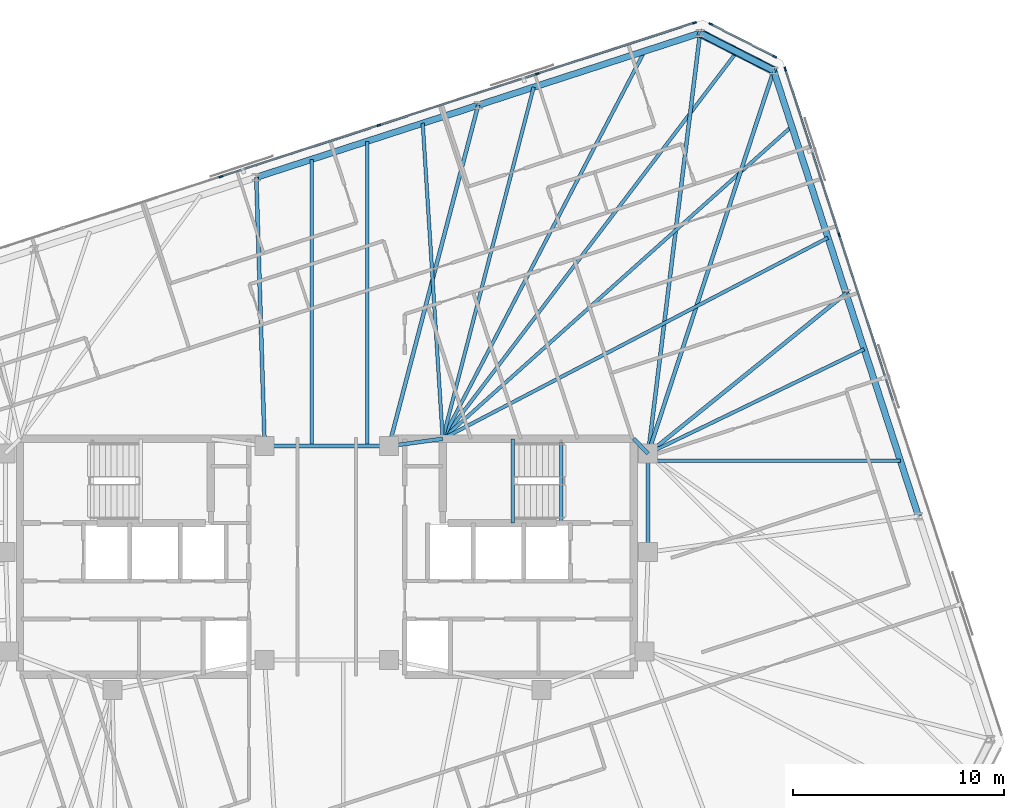
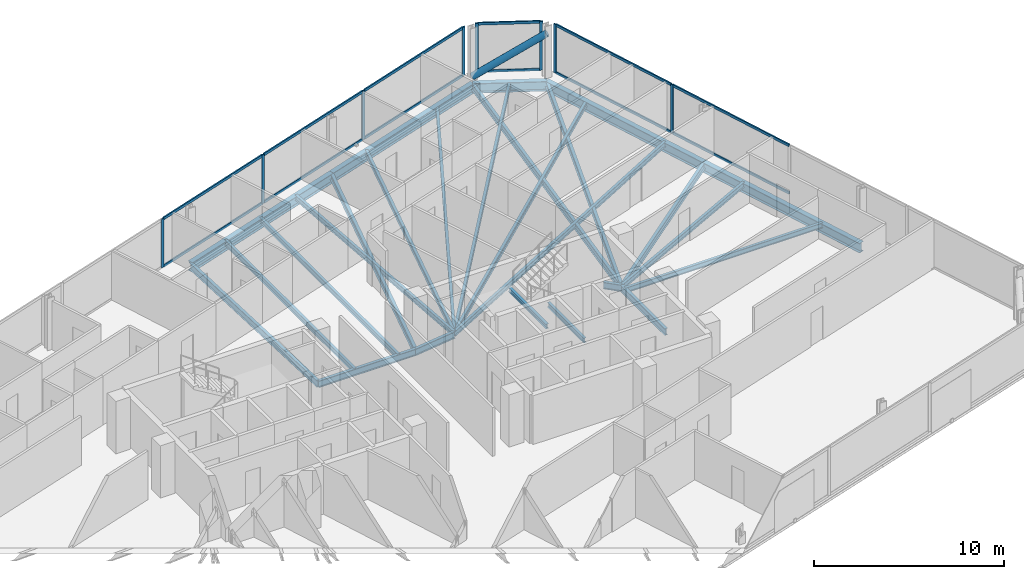
# One storey, part 10 of 20: 26 beams, 21 members, 3 elements without a shape of their own.
"""IFC4 building model written with IfcOpenShell, lengths in metres."""

from ifc_helpers import new_model, si_unit, direction, frame, origin, origin_2d, place, context, subcontext, project, spatial, rectangle, hollow_circle, i_section, extrude, material, material_profile, profile_set, type_object, element, aggregate, save


model = new_model("IFC4")

# Units and contexts
model_context = context("Model", 3, precision=1e-05, world=origin(), true_north=direction((0.0, 1.0)))
body_context = subcontext(model_context, "Body", "Model", "MODEL_VIEW")
ifc_project = project(units=[si_unit("LENGTHUNIT", "METRE"), si_unit("AREAUNIT", "SQUARE_METRE"), si_unit("VOLUMEUNIT", "CUBIC_METRE"), si_unit("PLANEANGLEUNIT", "RADIAN"), si_unit("MASSUNIT", "GRAM", prefix="KILO")], contexts=[model_context])

# Site, building, storey
site_placement = place(None, origin())
site = spatial("IfcSite", under=ifc_project, at=site_placement, CompositionType="ELEMENT")
building_placement = place(site_placement, origin())
building = spatial("IfcBuilding", under=site, at=building_placement, Name="Menara Jurai Vektor", CompositionType="ELEMENT")
storey_placement = place(building_placement, frame((0.0, 0.0, 244.39990234375)))
storey = spatial("IfcBuildingStorey", under=building, at=storey_placement, Name="L65", CompositionType="ELEMENT", Elevation=244.39990234375)

# Curtain wall, members
ifc_material_1 = material(Name="Anodised Pale Aluminium & Low-E Double Glazing", Category="aluminium")
curtain_wall_type = type_object("IfcCurtainWallType", Name="CW-BLK4", PredefinedType="NOTDEFINED", material=ifc_material_1)
curtain_wall_1_placement = place(storey_placement, origin())
curtain_wall_1 = element("IfcCurtainWall", 1, at=curtain_wall_1_placement, inside=storey, type_object=curtain_wall_type, Name="Unitised Curtain Wall L65 F03", PredefinedType="NOTDEFINED")
ifc_material_2 = material(Name="Anodised Pale Aluminium Mullion", Category="aluminium")
ifc_material_profile_1 = material_profile(ifc_material_2, rectangle(XDim=0.080078125, YDim=0.18994140625, at=origin_2d()), Name="ALU MUL 80x190")
ifc_profile_set_1 = profile_set([ifc_material_profile_1], Name="Anodised Pale Aluminium Mullion")
member_type_1 = type_object("IfcMemberType", Name="CW-BLK4-MUL", PredefinedType="MULLION", material=ifc_profile_set_1)
member_1_placement = place(storey_placement, frame((24.31494140625, 15.28271484375, 0.0), z_axis=(0.0, 0.0, 1.0), x_axis=(-0.95105668295, -0.309016481464, 0.0)))
member_1 = element("IfcMember", 2, at=member_1_placement, type_object=member_type_1, Name="CW-04 mullion 4", PredefinedType="MULLION", context=body_context, shape_type="SweptSolid", body=[
    extrude(rectangle(XDim=0.080078125, YDim=0.18994140625, at=origin_2d()), origin(), (0.0, 0.0, 1.0), 3.125),
])
member_2_placement = place(storey_placement, frame((21.75927734375, 23.14794921875, 0.0), z_axis=(0.0, 0.0, 1.0), x_axis=(-0.95105668295, -0.309016481464, 0.0)))
member_2 = element("IfcMember", 3, at=member_2_placement, type_object=member_type_1, Name="CW-04 mullion 5", PredefinedType="MULLION", context=body_context, shape_type="SweptSolid", body=[
    extrude(rectangle(XDim=0.080078125, YDim=0.18994140625, at=origin_2d()), origin(), (0.0, 0.0, 1.0), 3.125),
])

curtain_wall_2_placement = place(storey_placement, origin())
curtain_wall_2 = element("IfcCurtainWall", 4, at=curtain_wall_2_placement, inside=storey, type_object=curtain_wall_type, Name="Unitised Curtain Wall L65 F04", PredefinedType="NOTDEFINED")
member_3_placement = place(storey_placement, frame((21.25537109375, 23.73828125, 0.0), z_axis=(0.0, 0.0, 1.0), x_axis=(-0.453988579828, -0.89100750243, 0.0)))
member_3 = element("IfcMember", 5, at=member_3_placement, type_object=member_type_1, Name="CW-04 mullion 1", PredefinedType="MULLION", context=body_context, shape_type="SweptSolid", body=[
    extrude(rectangle(XDim=0.080078125, YDim=0.18994140625, at=origin_2d()), origin(), (0.0, 0.0, 1.0), 3.125),
])
member_4_placement = place(storey_placement, frame((18.223388671875, 25.282958984375, 0.0), z_axis=(0.0, 0.0, 1.0), x_axis=(-0.453988579828, -0.89100750243, 0.0)))
member_4 = element("IfcMember", 6, at=member_4_placement, type_object=member_type_1, Name="CW-04 mullion 2", PredefinedType="MULLION", context=body_context, shape_type="SweptSolid", body=[
    extrude(rectangle(XDim=0.080078125, YDim=0.18994140625, at=origin_2d()), origin(), (0.0, 0.0, 1.0), 3.125),
])

curtain_wall_3_placement = place(storey_placement, origin())
curtain_wall_3 = element("IfcCurtainWall", 7, at=curtain_wall_3_placement, inside=storey, type_object=curtain_wall_type, Name="Unitised Curtain Wall L65 F05", PredefinedType="NOTDEFINED")
member_5_placement = place(storey_placement, frame((17.44970703125, 25.34375, 0.0), z_axis=(0.0, 0.0, 1.0), x_axis=(0.309017344167, -0.951056402641, 0.0)))
member_5 = element("IfcMember", 8, at=member_5_placement, type_object=member_type_1, Name="CW-04 mullion 1", PredefinedType="MULLION", context=body_context, shape_type="SweptSolid", body=[
    extrude(rectangle(XDim=0.080078125, YDim=0.18994140625, at=origin_2d()), origin(), (0.0, 0.0, 1.0), 3.125),
])
member_6_placement = place(storey_placement, frame((9.982666015625, 22.917724609375, 0.0), z_axis=(0.0, 0.0, 1.0), x_axis=(0.309017344167, -0.951056402641, 0.0)))
member_6 = element("IfcMember", 9, at=member_6_placement, type_object=member_type_1, Name="CW-04 mullion 2", PredefinedType="MULLION", context=body_context, shape_type="SweptSolid", body=[
    extrude(rectangle(XDim=0.080078125, YDim=0.18994140625, at=origin_2d()), origin(), (0.0, 0.0, 1.0), 3.125),
])
member_7_placement = place(storey_placement, frame((2.4775390625, 20.47900390625, 0.0), z_axis=(0.0, 0.0, 1.0), x_axis=(0.309017344167, -0.951056402641, 0.0)))
member_7 = element("IfcMember", 10, at=member_7_placement, type_object=member_type_1, Name="CW-04 mullion 3", PredefinedType="MULLION", context=body_context, shape_type="SweptSolid", body=[
    extrude(rectangle(XDim=0.080078125, YDim=0.18994140625, at=origin_2d()), origin(), (0.0, 0.0, 1.0), 3.125),
])
member_8_placement = place(storey_placement, frame((-5.02783203125, 18.04052734375, 0.0), z_axis=(0.0, 0.0, 1.0), x_axis=(0.309017344167, -0.951056402641, 0.0)))
member_8 = element("IfcMember", 11, at=member_8_placement, type_object=member_type_1, Name="CW-04 mullion 4", PredefinedType="MULLION", context=body_context, shape_type="SweptSolid", body=[
    extrude(rectangle(XDim=0.080078125, YDim=0.18994140625, at=origin_2d()), origin(), (0.0, 0.0, 1.0), 3.125),
])

# Member
ifc_material_3 = material(Name="Anodised Pale Aluminium Transom", Category="aluminium")
ifc_material_profile_2 = material_profile(ifc_material_3, rectangle(XDim=0.080078125, YDim=0.1650390625, at=origin_2d()), Name="ALU TRN 80x165")
ifc_profile_set_2 = profile_set([ifc_material_profile_2], Name="Anodised Pale Aluminium Transom")
member_type_2 = type_object("IfcMemberType", Name="CW-BLK4-TRN", PredefinedType="USERDEFINED", material=ifc_profile_set_2)
member_9_placement = place(storey_placement, frame((26.870361328125, 7.41748046875, 0.0400390625), z_axis=(-0.309010276303, 0.951058699103, 0.0), x_axis=(-0.951058699103, -0.309010276303, 0.0)))
member_9 = element("IfcMember", 12, at=member_9_placement, type_object=member_type_2, Name="CW-04 transom 3.1", ObjectType="TRANSOM", PredefinedType="USERDEFINED", context=body_context, shape_type="SweptSolid", body=[
    extrude(rectangle(XDim=0.080078125, YDim=0.1650390625, at=origin_2d()), origin(), (0.0, 0.0, 1.0), 8.230224609375),
])

member_10_placement = place(storey_placement, frame((26.870361328125, 7.41748046875, 3.085205078125), z_axis=(-0.309010276303, 0.951058699103, 0.0), x_axis=(-0.951058699103, -0.309010276303, 0.0)))
member_10 = element("IfcMember", 13, at=member_10_placement, type_object=member_type_2, Name="CW-04 transom 3.2", ObjectType="TRANSOM", PredefinedType="USERDEFINED", context=body_context, shape_type="SweptSolid", body=[
    extrude(rectangle(XDim=0.080078125, YDim=0.1650390625, at=origin_2d()), origin(), (0.0, 0.0, 1.0), 8.230224609375),
])

member_11_placement = place(storey_placement, frame((24.302490234375, 15.32080078125, 0.0400390625), z_axis=(-0.309001816839, 0.951061447642, 0.0), x_axis=(-0.951061447642, -0.309001816839, 0.0)))
member_11 = element("IfcMember", 14, at=member_11_placement, type_object=member_type_2, Name="CW-04 transom 4.1", ObjectType="TRANSOM", PredefinedType="USERDEFINED", context=body_context, shape_type="SweptSolid", body=[
    extrude(rectangle(XDim=0.080078125, YDim=0.1650390625, at=origin_2d()), origin(), (0.0, 0.0, 1.0), 8.190185546875),
])

member_12_placement = place(storey_placement, frame((24.302490234375, 15.32080078125, 3.085205078125), z_axis=(-0.309001816839, 0.951061447642, 0.0), x_axis=(-0.951061447642, -0.309001816839, 0.0)))
member_12 = element("IfcMember", 15, at=member_12_placement, type_object=member_type_2, Name="CW-04 transom 4.2", ObjectType="TRANSOM", PredefinedType="USERDEFINED", context=body_context, shape_type="SweptSolid", body=[
    extrude(rectangle(XDim=0.080078125, YDim=0.1650390625, at=origin_2d()), origin(), (0.0, 0.0, 1.0), 8.190185546875),
])

aggregate(curtain_wall_1, [member_1, member_2, member_9, member_10, member_11, member_12])

member_13_placement = place(storey_placement, frame((21.2197265625, 23.75634765625, 0.0400390625), z_axis=(-0.89100697374, 0.453989617444, 0.0), x_axis=(-0.453989617444, -0.89100697374, 0.0)))
member_13 = element("IfcMember", 16, at=member_13_placement, type_object=member_type_2, Name="CW-04 transom 1.1", ObjectType="TRANSOM", PredefinedType="USERDEFINED", context=body_context, shape_type="SweptSolid", body=[
    extrude(rectangle(XDim=0.080078125, YDim=0.1650390625, at=origin_2d()), origin(), (0.0, 0.0, 1.0), 3.32275390625),
])

member_14_placement = place(storey_placement, frame((21.2197265625, 23.75634765625, 3.085205078125), z_axis=(-0.89100697374, 0.453989617444, 0.0), x_axis=(-0.453989617444, -0.89100697374, 0.0)))
member_14 = element("IfcMember", 17, at=member_14_placement, type_object=member_type_2, Name="CW-04 transom 1.2", ObjectType="TRANSOM", PredefinedType="USERDEFINED", context=body_context, shape_type="SweptSolid", body=[
    extrude(rectangle(XDim=0.080078125, YDim=0.1650390625, at=origin_2d()), origin(), (0.0, 0.0, 1.0), 3.32275390625),
])

aggregate(curtain_wall_2, [member_3, member_4, member_13, member_14])

member_15_placement = place(storey_placement, frame((17.41162109375, 25.33154296875, 0.0400390625), z_axis=(-0.951049997348, -0.309037056912, 0.0), x_axis=(0.309037056912, -0.951049997348, 0.0)))
member_15 = element("IfcMember", 18, at=member_15_placement, type_object=member_type_2, Name="CW-04 transom 1.1", ObjectType="TRANSOM", PredefinedType="USERDEFINED", context=body_context, shape_type="SweptSolid", body=[
    extrude(rectangle(XDim=0.080078125, YDim=0.1650390625, at=origin_2d()), origin(), (0.0, 0.0, 1.0), 7.771240234375),
])

member_16_placement = place(storey_placement, frame((17.41162109375, 25.33154296875, 3.085205078125), z_axis=(-0.951049997348, -0.309037056912, 0.0), x_axis=(0.309037056912, -0.951049997348, 0.0)))
member_16 = element("IfcMember", 19, at=member_16_placement, type_object=member_type_2, Name="CW-04 transom 1.2", ObjectType="TRANSOM", PredefinedType="USERDEFINED", context=body_context, shape_type="SweptSolid", body=[
    extrude(rectangle(XDim=0.080078125, YDim=0.1650390625, at=origin_2d()), origin(), (0.0, 0.0, 1.0), 7.771240234375),
])

member_17_placement = place(storey_placement, frame((9.944580078125, 22.9052734375, 0.0400390625), z_axis=(-0.951059330237, -0.309008333817, 0.0), x_axis=(0.309008333817, -0.951059330237, 0.0)))
member_17 = element("IfcMember", 20, at=member_17_placement, type_object=member_type_2, Name="CW-04 transom 2.1", ObjectType="TRANSOM", PredefinedType="USERDEFINED", context=body_context, shape_type="SweptSolid", body=[
    extrude(rectangle(XDim=0.080078125, YDim=0.1650390625, at=origin_2d()), origin(), (0.0, 0.0, 1.0), 7.8115234375),
])

member_18_placement = place(storey_placement, frame((9.944580078125, 22.9052734375, 3.085205078125), z_axis=(-0.951059330237, -0.309008333817, 0.0), x_axis=(0.309008333817, -0.951059330237, 0.0)))
member_18 = element("IfcMember", 21, at=member_18_placement, type_object=member_type_2, Name="CW-04 transom 2.2", ObjectType="TRANSOM", PredefinedType="USERDEFINED", context=body_context, shape_type="SweptSolid", body=[
    extrude(rectangle(XDim=0.080078125, YDim=0.1650390625, at=origin_2d()), origin(), (0.0, 0.0, 1.0), 7.8115234375),
])

member_19_placement = place(storey_placement, frame((2.439453125, 20.466552734375, 0.0400390625), z_axis=(-0.951059330237, -0.309008333817, 0.0), x_axis=(0.309008333817, -0.951059330237, 0.0)))
member_19 = element("IfcMember", 22, at=member_19_placement, type_object=member_type_2, Name="CW-04 transom 3.1", ObjectType="TRANSOM", PredefinedType="USERDEFINED", context=body_context, shape_type="SweptSolid", body=[
    extrude(rectangle(XDim=0.080078125, YDim=0.1650390625, at=origin_2d()), origin(), (0.0, 0.0, 1.0), 7.8115234375),
])

member_20_placement = place(storey_placement, frame((2.439453125, 20.466552734375, 3.085205078125), z_axis=(-0.951059330237, -0.309008333817, 0.0), x_axis=(0.309008333817, -0.951059330237, 0.0)))
member_20 = element("IfcMember", 23, at=member_20_placement, type_object=member_type_2, Name="CW-04 transom 3.2", ObjectType="TRANSOM", PredefinedType="USERDEFINED", context=body_context, shape_type="SweptSolid", body=[
    extrude(rectangle(XDim=0.080078125, YDim=0.1650390625, at=origin_2d()), origin(), (0.0, 0.0, 1.0), 7.8115234375),
])

aggregate(curtain_wall_3, [member_5, member_6, member_7, member_8, member_15, member_16, member_17, member_18, member_19, member_20])

# Beams
ifc_material_4 = material(Name="Steel S355", Category="steel")
ifc_material_profile_3 = material_profile(ifc_material_4, i_section(OverallWidth=0.18505859375, OverallDepth=0.429931640625, WebThickness=0.010986328125, FlangeThickness=0.01806640625, at=origin_2d()), Name="PG 430x185x76")
ifc_profile_set_3 = profile_set([ifc_material_profile_3], Name="Steel S355")
beam_type_1 = type_object("IfcBeamType", Name="STR-BM-430", PredefinedType="BEAM", material=ifc_profile_set_3)
beam_1_placement = place(storey_placement, frame((2.949951171875, 5.25, -0.43994140625), z_axis=(0.990706818608, 0.136014703483, 0.0), x_axis=(-0.136014703483, 0.990706818608, 0.0)))
element("IfcBeam", 24, at=beam_1_placement, inside=storey, type_object=beam_type_1, Name="Core Ring Header Girder L65-CHE-N1", PredefinedType="BEAM", context=body_context, shape_type="SweptSolid", body=[
    extrude(i_section(OverallWidth=0.18505859375, OverallDepth=0.429931640625, WebThickness=0.010986328125, FlangeThickness=0.01806640625, at=origin_2d()), origin(), (0.0, 0.0, 1.0), 2.573974609375),
])
beam_2_placement = place(storey_placement, frame((14.56005859375, 5.60009765625, -0.43994140625), z_axis=(0.701871936926, -0.712303154672, 0.0), x_axis=(0.712303154672, 0.701871936926, 0.0)))
element("IfcBeam", 25, at=beam_2_placement, inside=storey, type_object=beam_type_1, Name="Core Ring Header Girder L65-CHE-N2", PredefinedType="BEAM", context=body_context, shape_type="SweptSolid", body=[
    extrude(i_section(OverallWidth=0.18505859375, OverallDepth=0.429931640625, WebThickness=0.010986328125, FlangeThickness=0.01806640625, at=origin_2d()), origin(), (0.0, 0.0, 1.0), 0.98291015625),
])
beam_3_placement = place(storey_placement, frame((15.25, 0.219970703125, -0.43994140625), z_axis=(0.0, 1.0, 0.0), x_axis=(-1.0, 0.0, 0.0)))
element("IfcBeam", 26, at=beam_3_placement, inside=storey, type_object=beam_type_1, Name="Core Ring Header Girder L65-CHE-E1", PredefinedType="BEAM", context=body_context, shape_type="SweptSolid", body=[
    extrude(i_section(OverallWidth=0.18505859375, OverallDepth=0.429931640625, WebThickness=0.010986328125, FlangeThickness=0.01806640625, at=origin_2d()), origin(), (0.0, 0.0, 1.0), 4.679931640625),
])
beam_4_placement = place(storey_placement, frame((-2.949951171875, 5.25, -0.43994140625), z_axis=(1.0, 0.0, 0.0), x_axis=(0.0, 1.0, 0.0)))
element("IfcBeam", 27, at=beam_4_placement, inside=storey, type_object=beam_type_1, Name="Core Ring Header Girder L65-CC-2", PredefinedType="BEAM", context=body_context, shape_type="SweptSolid", body=[
    extrude(i_section(OverallWidth=0.18505859375, OverallDepth=0.429931640625, WebThickness=0.010986328125, FlangeThickness=0.01806640625, at=origin_2d()), origin(), (0.0, 0.0, 1.0), 5.89990234375),
])
beam_5_placement = place(storey_placement, frame((24.641845703125, 12.496826171875, -0.43994140625), z_axis=(-0.777487674144, -0.628898176619, 0.0), x_axis=(0.628898176619, -0.777487674144, 0.0)))
element("IfcBeam", 28, at=beam_5_placement, inside=storey, type_object=beam_type_1, Name="Radial Floor Girder L65-E3", PredefinedType="BEAM", context=body_context, shape_type="SweptSolid", body=[
    extrude(i_section(OverallWidth=0.18505859375, OverallDepth=0.429931640625, WebThickness=0.010986328125, FlangeThickness=0.01806640625, at=origin_2d()), origin(), (0.0, 0.0, 1.0), 12.079833984375),
])
beam_6_placement = place(storey_placement, frame((21.205810546875, 23.071044921875, -0.43994140625), z_axis=(-0.311459010005, -0.950259588263, 0.0), x_axis=(0.950259588263, -0.311459010005, 0.0)))
element("IfcBeam", 29, at=beam_6_placement, inside=storey, type_object=beam_type_1, Name="Radial Floor Girder L65-E4", PredefinedType="BEAM", context=body_context, shape_type="SweptSolid", body=[
    extrude(i_section(OverallWidth=0.18505859375, OverallDepth=0.429931640625, WebThickness=0.010986328125, FlangeThickness=0.01806640625, at=origin_2d()), origin(), (0.0, 0.0, 1.0), 19.122314453125),
])
beam_7_placement = place(storey_placement, frame((17.712890625, 24.85107421875, -0.43994140625), z_axis=(-0.122515938756, -0.99246654591, 0.0), x_axis=(0.99246654591, -0.122515938756, 0.0)))
element("IfcBeam", 30, at=beam_7_placement, inside=storey, type_object=beam_type_1, Name="Radial Floor Girder L65-N1", PredefinedType="BEAM", context=body_context, shape_type="SweptSolid", body=[
    extrude(i_section(OverallWidth=0.18505859375, OverallDepth=0.429931640625, WebThickness=0.010986328125, FlangeThickness=0.01806640625, at=origin_2d()), origin(), (0.0, 0.0, 1.0), 20.1025390625),
])
beam_8_placement = place(storey_placement, frame((7.18359375, 21.4296875, -0.43994140625), z_axis=(-0.253141463003, -0.96742927375, 0.0), x_axis=(0.96742927375, -0.253141463003, 0.0)))
element("IfcBeam", 31, at=beam_8_placement, inside=storey, type_object=beam_type_1, Name="Radial Floor Girder L65-N2", PredefinedType="BEAM", context=body_context, shape_type="SweptSolid", body=[
    extrude(i_section(OverallWidth=0.18505859375, OverallDepth=0.429931640625, WebThickness=0.010986328125, FlangeThickness=0.01806640625, at=origin_2d()), origin(), (0.0, 0.0, 1.0), 16.724365234375),
])
beam_9_placement = place(storey_placement, frame((-3.345703125, 18.008544921875, -0.43994140625), z_axis=(0.031003668991, -0.999519270704, 0.0), x_axis=(0.999519270704, 0.031003668991, 0.0)))
element("IfcBeam", 32, at=beam_9_placement, inside=storey, type_object=beam_type_1, Name="Radial Floor Girder L65-N3", PredefinedType="BEAM", context=body_context, shape_type="SweptSolid", body=[
    extrude(i_section(OverallWidth=0.18505859375, OverallDepth=0.429931640625, WebThickness=0.010986328125, FlangeThickness=0.01806640625, at=origin_2d()), origin(), (0.0, 0.0, 1.0), 12.7646484375),
])

# Member
ifc_material_5 = material(Name="Steel S460", Category="steel")
ifc_material_profile_4 = material_profile(ifc_material_5, hollow_circle(Radius=0.203125, WallThickness=0.01611328125, at=origin_2d()), Name="CHS 406.4x16")
ifc_profile_set_4 = profile_set([ifc_material_profile_4], Name="Steel S460")
member_type_3 = type_object("IfcMemberType", Name="STR-BR-406", PredefinedType="BRACE", material=ifc_profile_set_4)
member_21_placement = place(storey_placement, frame((17.712890625, 24.85107421875, 0.150146484375), z_axis=(0.740360915323, -0.377269459996, 0.556357321886), x_axis=(0.454025593397, 0.890988642206, 0.0)))
element("IfcMember", 33, at=member_21_placement, inside=storey, type_object=member_type_3, Name="Exoskeleton Corner Brace L65-2", PredefinedType="BRACE", context=body_context, shape_type="SweptSolid", body=[
    extrude(hollow_circle(Radius=0.203125, WallThickness=0.01611328125, at=origin_2d()), origin(), (0.0, 0.0, 1.0), 4.71826171875),
])

# Beams
ifc_material_profile_5 = material_profile(ifc_material_4, i_section(OverallWidth=0.1650390625, OverallDepth=0.330078125, WebThickness=0.009033203125, FlangeThickness=0.013916015625, at=origin_2d()), Name="PG 330x165x46")
ifc_profile_set_5 = profile_set([ifc_material_profile_5], Name="Steel S355")
beam_type_2 = type_object("IfcBeamType", Name="STR-JS-330", PredefinedType="JOIST", material=ifc_profile_set_5)
beam_10_placement = place(storey_placement, frame((27.218505859375, 4.56591796875, -0.389892578125), z_axis=(-1.0, 0.0, 0.0), x_axis=(0.0, -1.0, 0.0)))
element("IfcBeam", 34, at=beam_10_placement, inside=storey, type_object=beam_type_2, Name="Radial Secondary Floor Joist L65-JS11", PredefinedType="JOIST", context=body_context, shape_type="SweptSolid", body=[
    extrude(i_section(OverallWidth=0.1650390625, OverallDepth=0.330078125, WebThickness=0.009033203125, FlangeThickness=0.013916015625, at=origin_2d()), origin(), (0.0, 0.0, 1.0), 11.968505859375),
])
beam_11_placement = place(storey_placement, frame((25.500732421875, 9.853271484375, -0.389892578125), z_axis=(-0.900388578627, -0.435086666629, 0.0), x_axis=(0.435086666629, -0.900388578627, 0.0)))
element("IfcBeam", 35, at=beam_11_placement, inside=storey, type_object=beam_type_2, Name="Radial Secondary Floor Joist L65-JS12", PredefinedType="JOIST", context=body_context, shape_type="SweptSolid", body=[
    extrude(i_section(OverallWidth=0.1650390625, OverallDepth=0.330078125, WebThickness=0.009033203125, FlangeThickness=0.013916015625, at=origin_2d()), origin(), (0.0, 0.0, 1.0), 11.384765625),
])
beam_12_placement = place(storey_placement, frame((23.78271484375, 15.140380859375, -0.389892578125), z_axis=(-0.886555502614, -0.462622244153, 0.0), x_axis=(0.462622244153, -0.886555502614, 0.0)))
element("IfcBeam", 36, at=beam_12_placement, inside=storey, type_object=beam_type_2, Name="Radial Secondary Floor Joist L65-JS13", PredefinedType="JOIST", context=body_context, shape_type="SweptSolid", body=[
    extrude(i_section(OverallWidth=0.1650390625, OverallDepth=0.330078125, WebThickness=0.009033203125, FlangeThickness=0.013916015625, at=origin_2d()), origin(), (0.0, 0.0, 1.0), 20.6220703125),
])
beam_13_placement = place(storey_placement, frame((22.06494140625, 20.427490234375, -0.389892578125), z_axis=(-0.745104297608, -0.666947963252, 0.0), x_axis=(0.666947963252, -0.745104297608, 0.0)))
element("IfcBeam", 37, at=beam_13_placement, inside=storey, type_object=beam_type_2, Name="Radial Secondary Floor Joist L65-JS14", PredefinedType="JOIST", context=body_context, shape_type="SweptSolid", body=[
    extrude(i_section(OverallWidth=0.1650390625, OverallDepth=0.330078125, WebThickness=0.009033203125, FlangeThickness=0.013916015625, at=origin_2d()), origin(), (0.0, 0.0, 1.0), 22.231689453125),
])
beam_14_placement = place(storey_placement, frame((19.45947265625, 23.9609375, -0.389892578125), z_axis=(-0.605227110118, -0.796052853257, 0.0), x_axis=(0.796052853257, -0.605227110118, 0.0)))
element("IfcBeam", 38, at=beam_14_placement, inside=storey, type_object=beam_type_2, Name="Radial Secondary Floor Joist L65-JS15", PredefinedType="JOIST", context=body_context, shape_type="SweptSolid", body=[
    extrude(i_section(OverallWidth=0.1650390625, OverallDepth=0.330078125, WebThickness=0.009033203125, FlangeThickness=0.013916015625, at=origin_2d()), origin(), (0.0, 0.0, 1.0), 23.06494140625),
])
beam_15_placement = place(storey_placement, frame((15.08056640625, 23.99560546875, -0.389892578125), z_axis=(-0.461918215026, -0.886922523464, 0.0), x_axis=(0.886922523464, -0.461918215026, 0.0)))
element("IfcBeam", 39, at=beam_15_placement, inside=storey, type_object=beam_type_2, Name="Radial Secondary Floor Joist L65-JS16", PredefinedType="JOIST", context=body_context, shape_type="SweptSolid", body=[
    extrude(i_section(OverallWidth=0.1650390625, OverallDepth=0.330078125, WebThickness=0.009033203125, FlangeThickness=0.013916015625, at=origin_2d()), origin(), (0.0, 0.0, 1.0), 20.74072265625),
])
beam_16_placement = place(storey_placement, frame((9.81591796875, 22.28515625, -0.389892578125), z_axis=(-0.250427234151, -0.968135424616, 0.0), x_axis=(0.968135424616, -0.250427234151, 0.0)))
element("IfcBeam", 40, at=beam_16_placement, inside=storey, type_object=beam_type_2, Name="Radial Secondary Floor Joist L65-JS17", PredefinedType="JOIST", context=body_context, shape_type="SweptSolid", body=[
    extrude(i_section(OverallWidth=0.1650390625, OverallDepth=0.330078125, WebThickness=0.009033203125, FlangeThickness=0.013916015625, at=origin_2d()), origin(), (0.0, 0.0, 1.0), 17.234130859375),
])
beam_17_placement = place(storey_placement, frame((4.55126953125, 20.574462890625, -0.389892578125), z_axis=(0.063230194737, -0.997998969175, 0.0), x_axis=(0.997998969175, 0.063230194737, 0.0)))
element("IfcBeam", 41, at=beam_17_placement, inside=storey, type_object=beam_type_2, Name="Radial Secondary Floor Joist L65-JS18", PredefinedType="JOIST", context=body_context, shape_type="SweptSolid", body=[
    extrude(i_section(OverallWidth=0.1650390625, OverallDepth=0.330078125, WebThickness=0.009033203125, FlangeThickness=0.013916015625, at=origin_2d()), origin(), (0.0, 0.0, 1.0), 15.00439453125),
])
beam_18_placement = place(storey_placement, frame((1.9189453125, 19.71923828125, -0.389892578125), z_axis=(0.0, -1.0, 0.0), x_axis=(1.0, 0.0, 0.0)))
element("IfcBeam", 42, at=beam_18_placement, inside=storey, type_object=beam_type_2, Name="Radial Secondary Floor Joist L65-JS19", PredefinedType="JOIST", context=body_context, shape_type="SweptSolid", body=[
    extrude(i_section(OverallWidth=0.1650390625, OverallDepth=0.330078125, WebThickness=0.009033203125, FlangeThickness=0.013916015625, at=origin_2d()), origin(), (0.0, 0.0, 1.0), 14.46923828125),
])
beam_19_placement = place(storey_placement, frame((-0.71337890625, 18.864013671875, -0.389892578125), z_axis=(0.0, -1.0, 0.0), x_axis=(1.0, 0.0, 0.0)))
element("IfcBeam", 43, at=beam_19_placement, inside=storey, type_object=beam_type_2, Name="Radial Secondary Floor Joist L65-JS20", PredefinedType="JOIST", context=body_context, shape_type="SweptSolid", body=[
    extrude(i_section(OverallWidth=0.1650390625, OverallDepth=0.330078125, WebThickness=0.009033203125, FlangeThickness=0.013916015625, at=origin_2d()), origin(), (0.0, 0.0, 1.0), 13.614013671875),
])
ifc_material_profile_6 = material_profile(ifc_material_4, i_section(OverallWidth=0.1650390625, OverallDepth=0.302978515625, WebThickness=0.006103515625, FlangeThickness=0.010009765625, FilletRadius=0.009033203125, at=origin_2d()), Name="UKB 305x165x40")
ifc_profile_set_6 = profile_set([ifc_material_profile_6], Name="Steel S355")
beam_type_3 = type_object("IfcBeamType", Name="STR-LN-305", PredefinedType="LINTEL", material=ifc_profile_set_6)
beam_20_placement = place(storey_placement, frame((11.1201171875, 1.60009765625, -0.37646484375), z_axis=(0.0, 1.0, 0.0), x_axis=(-1.0, 0.0, 0.0)))
element("IfcBeam", 44, at=beam_20_placement, inside=storey, type_object=beam_type_3, Name="Stair Well Floor Trimmer ST2 L65", PredefinedType="LINTEL", context=body_context, shape_type="SweptSolid", body=[
    extrude(i_section(OverallWidth=0.1650390625, OverallDepth=0.302978515625, WebThickness=0.006103515625, FlangeThickness=0.010009765625, FilletRadius=0.009033203125, at=origin_2d()), origin(), (0.0, 0.0, 1.0), 3.81982421875),
])
beam_21_placement = place(storey_placement, frame((8.830078125, 1.60009765625, 1.323486328125), z_axis=(0.0, 1.0, 0.0), x_axis=(-1.0, 0.0, 0.0)))
element("IfcBeam", 45, at=beam_21_placement, inside=storey, type_object=beam_type_3, Name="Stair Half-Landing Nosing Trimmer ST2-1 L65", PredefinedType="LINTEL", context=body_context, shape_type="SweptSolid", body=[
    extrude(i_section(OverallWidth=0.1650390625, OverallDepth=0.302978515625, WebThickness=0.006103515625, FlangeThickness=0.010009765625, FilletRadius=0.009033203125, at=origin_2d()), origin(), (0.0, 0.0, 1.0), 4.0),
])
ifc_material_profile_7 = material_profile(ifc_material_4, i_section(OverallWidth=0.306884765625, OverallDepth=0.6201171875, WebThickness=0.013916015625, FlangeThickness=0.02392578125, FilletRadius=0.01708984375, at=origin_2d()), Name="UKB 610x305x179")
ifc_profile_set_7 = profile_set([ifc_material_profile_7], Name="Steel S355")
beam_type_4 = type_object("IfcBeamType", Name="STR-SP-610", PredefinedType="SPANDREL", material=ifc_profile_set_7)
beam_22_placement = place(storey_placement, frame((28.07763671875, 1.92236328125, -0.534912109375), z_axis=(-0.309012092614, 0.95105810896, 0.0), x_axis=(-0.95105810896, -0.309012092614, 0.0)))
element("IfcBeam", 46, at=beam_22_placement, inside=storey, type_object=beam_type_4, Name="Exoskeleton Spandrel Beam L65-08", PredefinedType="SPANDREL", context=body_context, shape_type="SweptSolid", body=[
    extrude(i_section(OverallWidth=0.306884765625, OverallDepth=0.6201171875, WebThickness=0.013916015625, FlangeThickness=0.02392578125, FilletRadius=0.01708984375, at=origin_2d()), origin(), (0.0, 0.0, 1.0), 11.11865234375),
])
beam_23_placement = place(storey_placement, frame((24.641845703125, 12.496826171875, -0.534912109375), z_axis=(-0.309038407092, 0.951049558615, 0.0), x_axis=(-0.951049558615, -0.309038407092, 0.0)))
element("IfcBeam", 47, at=beam_23_placement, inside=storey, type_object=beam_type_4, Name="Exoskeleton Spandrel Beam L65-09", PredefinedType="SPANDREL", context=body_context, shape_type="SweptSolid", body=[
    extrude(i_section(OverallWidth=0.306884765625, OverallDepth=0.6201171875, WebThickness=0.013916015625, FlangeThickness=0.02392578125, FilletRadius=0.01708984375, at=origin_2d()), origin(), (0.0, 0.0, 1.0), 11.118408203125),
])
beam_24_placement = place(storey_placement, frame((21.205810546875, 23.071044921875, -0.534912109375), z_axis=(-0.890975804423, 0.454050785633, 0.0), x_axis=(-0.454050785633, -0.890975804423, 0.0)))
element("IfcBeam", 48, at=beam_24_placement, inside=storey, type_object=beam_type_4, Name="Exoskeleton Spandrel Beam L65-10", PredefinedType="SPANDREL", context=body_context, shape_type="SweptSolid", body=[
    extrude(i_section(OverallWidth=0.306884765625, OverallDepth=0.6201171875, WebThickness=0.013916015625, FlangeThickness=0.02392578125, FilletRadius=0.01708984375, at=origin_2d()), origin(), (0.0, 0.0, 1.0), 3.92041015625),
])
beam_25_placement = place(storey_placement, frame((17.712890625, 24.85107421875, -0.534912109375), z_axis=(-0.951050920942, -0.309034214572, 0.0), x_axis=(0.309034214572, -0.951050920942, 0.0)))
element("IfcBeam", 49, at=beam_25_placement, inside=storey, type_object=beam_type_4, Name="Exoskeleton Spandrel Beam L65-11", PredefinedType="SPANDREL", context=body_context, shape_type="SweptSolid", body=[
    extrude(i_section(OverallWidth=0.306884765625, OverallDepth=0.6201171875, WebThickness=0.013916015625, FlangeThickness=0.02392578125, FilletRadius=0.01708984375, at=origin_2d()), origin(), (0.0, 0.0, 1.0), 11.0712890625),
])
beam_26_placement = place(storey_placement, frame((7.18359375, 21.4296875, -0.534912109375), z_axis=(-0.951057401967, -0.309014268544, 0.0), x_axis=(0.309014268544, -0.951057401967, 0.0)))
element("IfcBeam", 50, at=beam_26_placement, inside=storey, type_object=beam_type_4, Name="Exoskeleton Spandrel Beam L65-12", PredefinedType="SPANDREL", context=body_context, shape_type="SweptSolid", body=[
    extrude(i_section(OverallWidth=0.306884765625, OverallDepth=0.6201171875, WebThickness=0.013916015625, FlangeThickness=0.02392578125, FilletRadius=0.01708984375, at=origin_2d()), origin(), (0.0, 0.0, 1.0), 11.071044921875),
])

save(model, "model.ifc")
